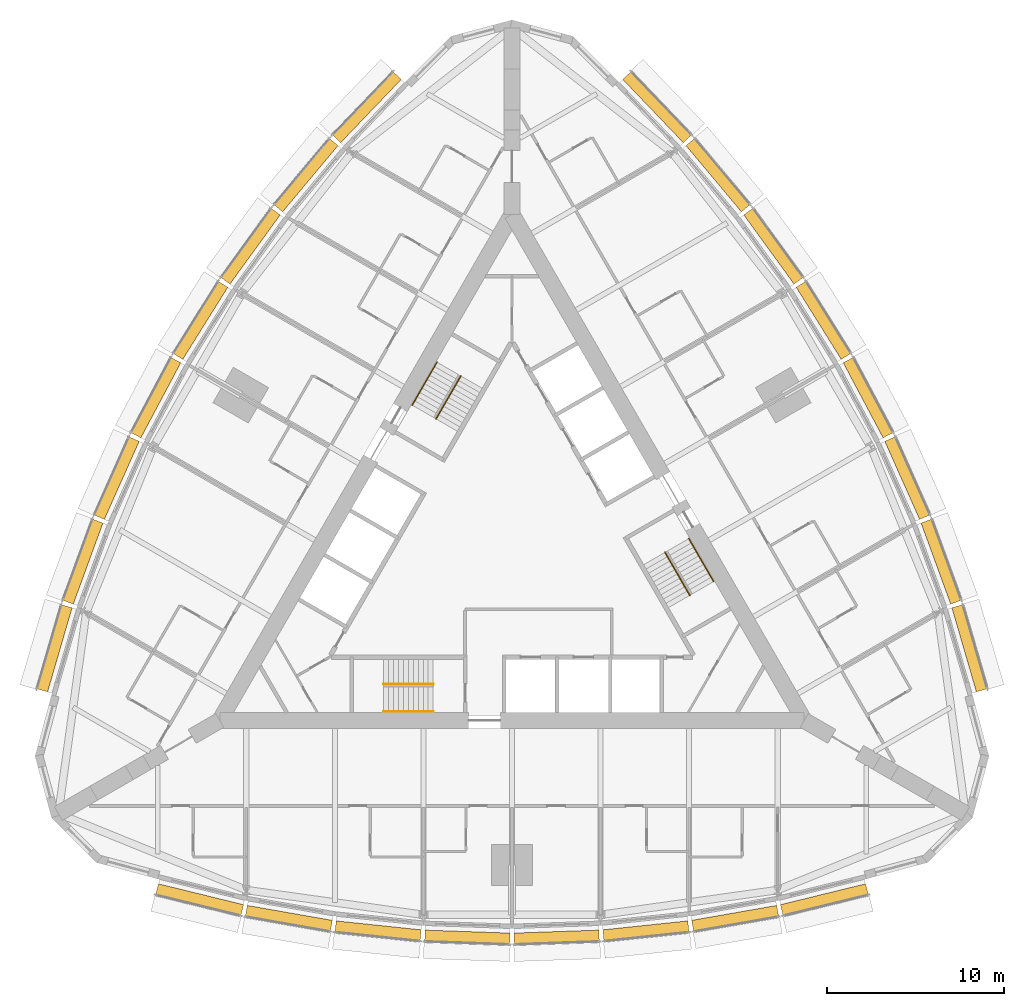
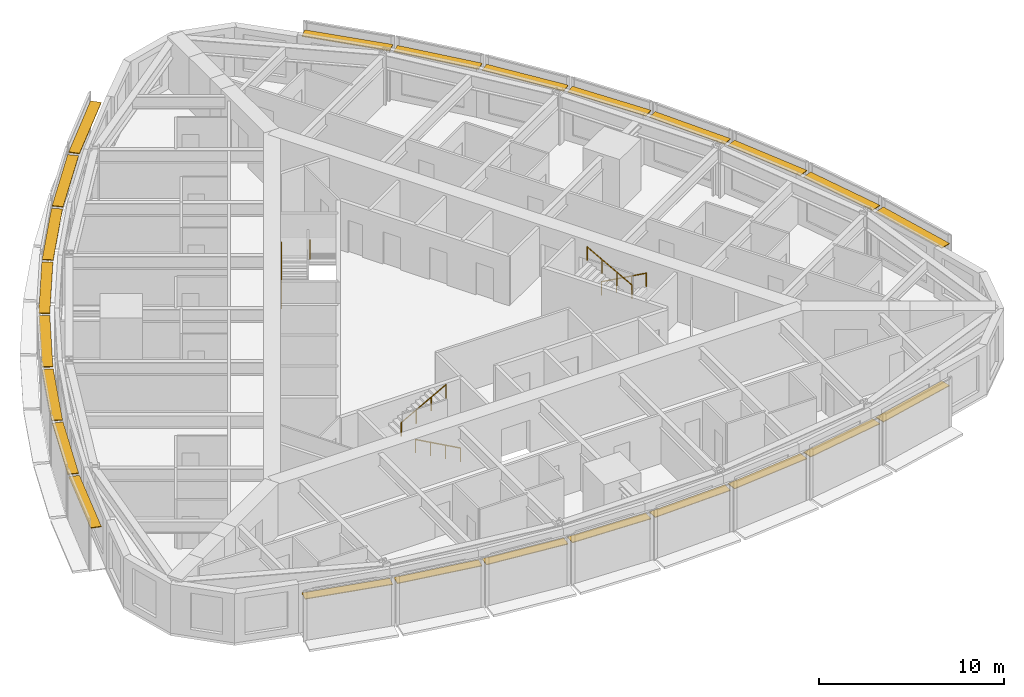
# One storey, part 14 of 14: 24 shading devices, 6 railings.
"""IFC4 building model written with IfcOpenShell, lengths in metres."""

from ifc_helpers import new_model, si_unit, direction, frame, origin, origin_2d, place, context, subcontext, project, spatial, rectangle, circle, extrude, material, type_object, element, save


model = new_model("IFC4")

# Units and contexts
model_context = context("Model", 3, precision=1e-05, world=origin(), true_north=direction((0.0, 1.0)))
body_context = subcontext(model_context, "Body", "Model", "MODEL_VIEW")
ifc_project = project(units=[si_unit("LENGTHUNIT", "METRE"), si_unit("AREAUNIT", "SQUARE_METRE"), si_unit("VOLUMEUNIT", "CUBIC_METRE"), si_unit("PLANEANGLEUNIT", "RADIAN"), si_unit("MASSUNIT", "GRAM", prefix="KILO")], contexts=[model_context])

# Site, building, storey
site_placement = place(None, origin())
site = spatial("IfcSite", under=ifc_project, at=site_placement, CompositionType="ELEMENT")
building_placement = place(site_placement, origin())
building = spatial("IfcBuilding", under=site, at=building_placement, Name="Trikona Tower", CompositionType="ELEMENT")
storey_placement = place(building_placement, frame((0.0, 0.0, 124.89990234375)))
storey = spatial("IfcBuildingStorey", under=building, at=storey_placement, Name="L32", CompositionType="ELEMENT", Elevation=124.89990234375)

# Shading devices
ifc_material_1 = material(Name="Aluminium louvre blade, pale anodised", Category="aluminium")
shading_device_type = type_object("IfcShadingDeviceType", Name="Cavity louvre 600", PredefinedType="USERDEFINED", material=ifc_material_1)
shading_device_1_placement = place(storey_placement, frame((-17.63330078125, -19.631591796875, 2.77490234375), z_axis=(0.0, 0.0, 1.0), x_axis=(0.971274411564, -0.237962218516, 0.0)))
element("IfcShadingDevice", 1, at=shading_device_1_placement, inside=storey, type_object=shading_device_type, Name="Cavity louvre L32-00", ObjectType="LOUVRE", PredefinedType="USERDEFINED", context=body_context, shape_type="SweptSolid", body=[
    extrude(rectangle(XDim=4.947998046875, YDim=0.60009765625, at=origin_2d()), origin(), (0.0, 0.0, 1.0), 0.050048828125),
])
shading_device_2_placement = place(storey_placement, frame((-12.596435546875, -20.689208984375, 2.77490234375), z_axis=(0.0, 0.0, 1.0), x_axis=(0.985030604067, -0.172379549401, 0.0)))
element("IfcShadingDevice", 2, at=shading_device_2_placement, inside=storey, type_object=shading_device_type, Name="Cavity louvre L32-01", ObjectType="LOUVRE", PredefinedType="USERDEFINED", context=body_context, shape_type="SweptSolid", body=[
    extrude(rectangle(XDim=4.8759765625, YDim=0.60009765625, at=origin_2d()), origin(), (0.0, 0.0, 1.0), 0.050048828125),
])
shading_device_3_placement = place(storey_placement, frame((-7.55859375, -21.39453125, 2.77490234375), z_axis=(0.0, 0.0, 1.0), x_axis=(0.994532653854, -0.104426052392, 0.0)))
element("IfcShadingDevice", 3, at=shading_device_3_placement, inside=storey, type_object=shading_device_type, Name="Cavity louvre L32-02", ObjectType="LOUVRE", PredefinedType="USERDEFINED", context=body_context, shape_type="SweptSolid", body=[
    extrude(rectangle(XDim=4.827392578125, YDim=0.60009765625, at=origin_2d()), origin(), (0.0, 0.0, 1.0), 0.050048828125),
])
for number, where, z_axis, x_axis, name in (
    (4, (-2.51953125, -21.747314453125, 2.77490234375), (0.0, 0.0, 1.0), (0.999388082937, -0.034977988567, 0.0), "Cavity louvre L32-03"),
    (5, (2.51953125, -21.747314453125, 2.77490234375), (0.0, 0.0, 1.0), (0.999388082937, 0.034977988567, 0.0), "Cavity louvre L32-04"),
):
    element("IfcShadingDevice", number, at=place(storey_placement, frame(where, z_axis=z_axis, x_axis=x_axis)), inside=storey, type_object=shading_device_type, Name=name, ObjectType="LOUVRE", PredefinedType="USERDEFINED", context=body_context, shape_type="SweptSolid", body=[
        extrude(rectangle(XDim=4.802978515625, YDim=0.60009765625, at=origin_2d()), origin(), (0.0, 0.0, 1.0), 0.050048828125),
    ])
shading_device_4_placement = place(storey_placement, frame((7.55859375, -21.39453125, 2.77490234375), z_axis=(0.0, 0.0, 1.0), x_axis=(0.994532653854, 0.104426052392, 0.0)))
element("IfcShadingDevice", 6, at=shading_device_4_placement, inside=storey, type_object=shading_device_type, Name="Cavity louvre L32-05", ObjectType="LOUVRE", PredefinedType="USERDEFINED", context=body_context, shape_type="SweptSolid", body=[
    extrude(rectangle(XDim=4.827392578125, YDim=0.60009765625, at=origin_2d()), origin(), (0.0, 0.0, 1.0), 0.050048828125),
])
shading_device_5_placement = place(storey_placement, frame((12.596435546875, -20.689208984375, 2.77490234375), z_axis=(0.0, 0.0, 1.0), x_axis=(0.985030604067, 0.172379549401, 0.0)))
element("IfcShadingDevice", 7, at=shading_device_5_placement, inside=storey, type_object=shading_device_type, Name="Cavity louvre L32-06", ObjectType="LOUVRE", PredefinedType="USERDEFINED", context=body_context, shape_type="SweptSolid", body=[
    extrude(rectangle(XDim=4.8759765625, YDim=0.60009765625, at=origin_2d()), origin(), (0.0, 0.0, 1.0), 0.050048828125),
])
shading_device_6_placement = place(storey_placement, frame((17.63330078125, -19.631591796875, 2.77490234375), z_axis=(0.0, 0.0, 1.0), x_axis=(0.971274411564, 0.237962218516, 0.0)))
element("IfcShadingDevice", 8, at=shading_device_6_placement, inside=storey, type_object=shading_device_type, Name="Cavity louvre L32-07", ObjectType="LOUVRE", PredefinedType="USERDEFINED", context=body_context, shape_type="SweptSolid", body=[
    extrude(rectangle(XDim=4.947998046875, YDim=0.60009765625, at=origin_2d()), origin(), (0.0, 0.0, 1.0), 0.050048828125),
])
shading_device_7_placement = place(storey_placement, frame((25.818115234375, -5.455078125, 2.77490234375), z_axis=(0.0, 0.0, 1.0), x_axis=(-0.279554203664, 0.960129911634, 0.0)))
element("IfcShadingDevice", 9, at=shading_device_7_placement, inside=storey, type_object=shading_device_type, Name="Cavity louvre L32-12", ObjectType="LOUVRE", PredefinedType="USERDEFINED", context=body_context, shape_type="SweptSolid", body=[
    extrude(rectangle(XDim=4.94775390625, YDim=0.60009765625, at=origin_2d()), origin(), (0.0, 0.0, 1.0), 0.050048828125),
])
shading_device_8_placement = place(storey_placement, frame((24.2158203125, -0.564208984375, 2.77490234375), z_axis=(0.0, 0.0, 1.0), x_axis=(-0.343220397324, 0.939254895575, 0.0)))
element("IfcShadingDevice", 10, at=shading_device_8_placement, inside=storey, type_object=shading_device_type, Name="Cavity louvre L32-13", ObjectType="LOUVRE", PredefinedType="USERDEFINED", context=body_context, shape_type="SweptSolid", body=[
    extrude(rectangle(XDim=4.8759765625, YDim=0.60009765625, at=origin_2d()), origin(), (0.0, 0.0, 1.0), 0.050048828125),
])
shading_device_9_placement = place(storey_placement, frame((22.3076171875, 4.151611328125, 2.77490234375), z_axis=(0.0, 0.0, 1.0), x_axis=(-0.406843467615, 0.913497888809, 0.0)))
element("IfcShadingDevice", 11, at=shading_device_9_placement, inside=storey, type_object=shading_device_type, Name="Cavity louvre L32-14", ObjectType="LOUVRE", PredefinedType="USERDEFINED", context=body_context, shape_type="SweptSolid", body=[
    extrude(rectangle(XDim=4.827392578125, YDim=0.60009765625, at=origin_2d()), origin(), (0.0, 0.0, 1.0), 0.050048828125),
])
for number, where, z_axis, x_axis, name in (
    (12, (20.093505859375, 8.691650390625, 2.77490234375), (0.0, 0.0, 1.0), (-0.469397591494, 0.882986920118, 0.0), "Cavity louvre L32-15"),
    (13, (17.573974609375, 13.0556640625, 2.77490234375), (0.0, 0.0, 1.0), (-0.529994748414, 0.848000923734, 0.0), "Cavity louvre L32-16"),
):
    element("IfcShadingDevice", number, at=place(storey_placement, frame(where, z_axis=z_axis, x_axis=x_axis)), inside=storey, type_object=shading_device_type, Name=name, ObjectType="LOUVRE", PredefinedType="USERDEFINED", context=body_context, shape_type="SweptSolid", body=[
        extrude(rectangle(XDim=4.802978515625, YDim=0.60009765625, at=origin_2d()), origin(), (0.0, 0.0, 1.0), 0.050048828125),
    ])
shading_device_10_placement = place(storey_placement, frame((14.7490234375, 17.2431640625, 2.77490234375), z_axis=(0.0, 0.0, 1.0), x_axis=(-0.587686407834, 0.809088799853, 0.0)))
element("IfcShadingDevice", 14, at=shading_device_10_placement, inside=storey, type_object=shading_device_type, Name="Cavity louvre L32-17", ObjectType="LOUVRE", PredefinedType="USERDEFINED", context=body_context, shape_type="SweptSolid", body=[
    extrude(rectangle(XDim=4.827392578125, YDim=0.60009765625, at=origin_2d()), origin(), (0.0, 0.0, 1.0), 0.050048828125),
])
shading_device_11_placement = place(storey_placement, frame((11.619140625, 21.253662109375, 2.77490234375), z_axis=(0.0, 0.0, 1.0), x_axis=(-0.641807063101, 0.766866151133, 0.0)))
element("IfcShadingDevice", 15, at=shading_device_11_placement, inside=storey, type_object=shading_device_type, Name="Cavity louvre L32-18", ObjectType="LOUVRE", PredefinedType="USERDEFINED", context=body_context, shape_type="SweptSolid", body=[
    extrude(rectangle(XDim=4.8759765625, YDim=0.60009765625, at=origin_2d()), origin(), (0.0, 0.0, 1.0), 0.050048828125),
])
for number, where, z_axis, x_axis, name in (
    (16, (8.184814453125, 25.086669921875, 2.77490234375), (0.0, 0.0, 1.0), (-0.691723573819, 0.722162376078, 0.0), "Cavity louvre L32-19"),
    (17, (-8.184814453125, 25.086669921875, 2.77490234375), (0.0, 0.0, 1.0), (-0.691723573819, -0.722162376078, 0.0), "Cavity louvre L32-24"),
):
    element("IfcShadingDevice", number, at=place(storey_placement, frame(where, z_axis=z_axis, x_axis=x_axis)), inside=storey, type_object=shading_device_type, Name=name, ObjectType="LOUVRE", PredefinedType="USERDEFINED", context=body_context, shape_type="SweptSolid", body=[
        extrude(rectangle(XDim=4.947998046875, YDim=0.60009765625, at=origin_2d()), origin(), (0.0, 0.0, 1.0), 0.050048828125),
    ])
shading_device_12_placement = place(storey_placement, frame((-11.619140625, 21.253662109375, 2.77490234375), z_axis=(0.0, 0.0, 1.0), x_axis=(-0.641807063101, -0.766866151133, 0.0)))
element("IfcShadingDevice", 18, at=shading_device_12_placement, inside=storey, type_object=shading_device_type, Name="Cavity louvre L32-25", ObjectType="LOUVRE", PredefinedType="USERDEFINED", context=body_context, shape_type="SweptSolid", body=[
    extrude(rectangle(XDim=4.8759765625, YDim=0.60009765625, at=origin_2d()), origin(), (0.0, 0.0, 1.0), 0.050048828125),
])
shading_device_13_placement = place(storey_placement, frame((-14.7490234375, 17.2431640625, 2.77490234375), z_axis=(0.0, 0.0, 1.0), x_axis=(-0.587686407834, -0.809088799853, 0.0)))
element("IfcShadingDevice", 19, at=shading_device_13_placement, inside=storey, type_object=shading_device_type, Name="Cavity louvre L32-26", ObjectType="LOUVRE", PredefinedType="USERDEFINED", context=body_context, shape_type="SweptSolid", body=[
    extrude(rectangle(XDim=4.827392578125, YDim=0.60009765625, at=origin_2d()), origin(), (0.0, 0.0, 1.0), 0.050048828125),
])
for number, where, z_axis, x_axis, name in (
    (20, (-17.573974609375, 13.0556640625, 2.77490234375), (0.0, 0.0, 1.0), (-0.529994748414, -0.848000923734, 0.0), "Cavity louvre L32-27"),
    (21, (-20.093505859375, 8.691650390625, 2.77490234375), (0.0, 0.0, 1.0), (-0.469397591494, -0.882986920118, 0.0), "Cavity louvre L32-28"),
):
    element("IfcShadingDevice", number, at=place(storey_placement, frame(where, z_axis=z_axis, x_axis=x_axis)), inside=storey, type_object=shading_device_type, Name=name, ObjectType="LOUVRE", PredefinedType="USERDEFINED", context=body_context, shape_type="SweptSolid", body=[
        extrude(rectangle(XDim=4.802978515625, YDim=0.60009765625, at=origin_2d()), origin(), (0.0, 0.0, 1.0), 0.050048828125),
    ])
shading_device_14_placement = place(storey_placement, frame((-22.3076171875, 4.151611328125, 2.77490234375), z_axis=(0.0, 0.0, 1.0), x_axis=(-0.406843467615, -0.913497888809, 0.0)))
element("IfcShadingDevice", 22, at=shading_device_14_placement, inside=storey, type_object=shading_device_type, Name="Cavity louvre L32-29", ObjectType="LOUVRE", PredefinedType="USERDEFINED", context=body_context, shape_type="SweptSolid", body=[
    extrude(rectangle(XDim=4.827392578125, YDim=0.60009765625, at=origin_2d()), origin(), (0.0, 0.0, 1.0), 0.050048828125),
])
shading_device_15_placement = place(storey_placement, frame((-24.2158203125, -0.564208984375, 2.77490234375), z_axis=(0.0, 0.0, 1.0), x_axis=(-0.343220397324, -0.939254895575, 0.0)))
element("IfcShadingDevice", 23, at=shading_device_15_placement, inside=storey, type_object=shading_device_type, Name="Cavity louvre L32-30", ObjectType="LOUVRE", PredefinedType="USERDEFINED", context=body_context, shape_type="SweptSolid", body=[
    extrude(rectangle(XDim=4.8759765625, YDim=0.60009765625, at=origin_2d()), origin(), (0.0, 0.0, 1.0), 0.050048828125),
])
shading_device_16_placement = place(storey_placement, frame((-25.818115234375, -5.455078125, 2.77490234375), z_axis=(0.0, 0.0, 1.0), x_axis=(-0.279554203664, -0.960129911634, 0.0)))
element("IfcShadingDevice", 24, at=shading_device_16_placement, inside=storey, type_object=shading_device_type, Name="Cavity louvre L32-31", ObjectType="LOUVRE", PredefinedType="USERDEFINED", context=body_context, shape_type="SweptSolid", body=[
    extrude(rectangle(XDim=4.94775390625, YDim=0.60009765625, at=origin_2d()), origin(), (0.0, 0.0, 1.0), 0.050048828125),
])

# Railings
ifc_material_2 = material(Name="Stainless steel handrail", Category="steel")
railing_type = type_object("IfcRailingType", Name="Stair handrail", PredefinedType="HANDRAIL", material=ifc_material_2)
railing_1_placement = place(storey_placement, frame((-4.449951171875, -9.016357421875, 0.154541015625)))
element("IfcRailing", 25, at=railing_1_placement, inside=storey, type_object=railing_type, Name="Stair handrail A L32 1", PredefinedType="HANDRAIL", context=body_context, shape_type="SweptSolid", body=[
    extrude(circle(Radius=0.02392578125, at=origin_2d()), frame((0.0, 0.0, 0.8759765625), z_axis=(-0.875471895205, 0.0, 0.483269035534), x_axis=(0.0, -1.0, 0.0)), (0.0, 0.0, 1.0), 3.1982421875),
    extrude(circle(Radius=0.02099609375, at=origin_2d()), origin(), (0.0, 0.0, 1.0), 0.851806640625),
    extrude(circle(Radius=0.02099609375, at=origin_2d()), frame((-0.933349609375, 0.0, 0.51513671875)), (0.0, 0.0, 1.0), 0.851806640625),
    extrude(circle(Radius=0.02099609375, at=origin_2d()), frame((-1.86669921875, 0.0, 1.030517578125)), (0.0, 0.0, 1.0), 0.851806640625),
    extrude(circle(Radius=0.02099609375, at=origin_2d()), frame((-2.800048828125, 0.0, 1.545654296875)), (0.0, 0.0, 1.0), 0.851806640625),
])
railing_2_placement = place(storey_placement, frame((-7.25, -7.46630859375, 1.8544921875)))
element("IfcRailing", 26, at=railing_2_placement, inside=storey, type_object=railing_type, Name="Stair handrail A L32 2", PredefinedType="HANDRAIL", context=body_context, shape_type="SweptSolid", body=[
    extrude(circle(Radius=0.02392578125, at=origin_2d()), frame((0.0, 0.0, 0.8759765625), z_axis=(0.875471895205, 0.0, 0.483269035534), x_axis=(0.0, 1.0, 0.0)), (0.0, 0.0, 1.0), 3.1982421875),
    extrude(circle(Radius=0.02099609375, at=origin_2d()), origin(), (0.0, 0.0, 1.0), 0.851806640625),
    extrude(circle(Radius=0.02099609375, at=origin_2d()), frame((0.933349609375, 0.0, 0.51513671875)), (0.0, 0.0, 1.0), 0.851806640625),
    extrude(circle(Radius=0.02099609375, at=origin_2d()), frame((1.86669921875, 0.0, 1.030517578125)), (0.0, 0.0, 1.0), 0.851806640625),
    extrude(circle(Radius=0.02099609375, at=origin_2d()), frame((2.800048828125, 0.0, 1.545654296875)), (0.0, 0.0, 1.0), 0.851806640625),
])
railing_3_placement = place(storey_placement, frame((9.9833984375, 0.740966796875, 0.154541015625)))
element("IfcRailing", 27, at=railing_3_placement, inside=storey, type_object=railing_type, Name="Stair handrail B L32 1", PredefinedType="HANDRAIL", context=body_context, shape_type="SweptSolid", body=[
    extrude(circle(Radius=0.02392578125, at=origin_2d()), frame((0.0, 0.0, 0.8759765625), z_axis=(0.437691042731, -0.758211567396, 0.483261596012), x_axis=(0.866056369097, 0.49994636267, 0.0)), (0.0, 0.0, 1.0), 3.198486328125),
    extrude(circle(Radius=0.02099609375, at=origin_2d()), origin(), (0.0, 0.0, 1.0), 0.851806640625),
    extrude(circle(Radius=0.02099609375, at=origin_2d()), frame((0.466552734375, -0.808349609375, 0.51513671875)), (0.0, 0.0, 1.0), 0.851806640625),
    extrude(circle(Radius=0.02099609375, at=origin_2d()), frame((0.933349609375, -1.61669921875, 1.030517578125)), (0.0, 0.0, 1.0), 0.851806640625),
    extrude(circle(Radius=0.02099609375, at=origin_2d()), frame((1.39990234375, -2.425048828125, 1.545654296875)), (0.0, 0.0, 1.0), 0.851806640625),
])
railing_4_placement = place(storey_placement, frame((10.041015625, -2.458984375, 1.8544921875)))
element("IfcRailing", 28, at=railing_4_placement, inside=storey, type_object=railing_type, Name="Stair handrail B L32 2", PredefinedType="HANDRAIL", context=body_context, shape_type="SweptSolid", body=[
    extrude(circle(Radius=0.02392578125, at=origin_2d()), frame((0.0, 0.0, 0.8759765625), z_axis=(-0.437691042731, 0.758211567396, 0.483261596012), x_axis=(-0.866056369097, -0.49994636267, 0.0)), (0.0, 0.0, 1.0), 3.198486328125),
    extrude(circle(Radius=0.02099609375, at=origin_2d()), origin(), (0.0, 0.0, 1.0), 0.851806640625),
    extrude(circle(Radius=0.02099609375, at=origin_2d()), frame((-0.466552734375, 0.808349609375, 0.51513671875)), (0.0, 0.0, 1.0), 0.851806640625),
    extrude(circle(Radius=0.02099609375, at=origin_2d()), frame((-0.933349609375, 1.61669921875, 1.030517578125)), (0.0, 0.0, 1.0), 0.851806640625),
    extrude(circle(Radius=0.02099609375, at=origin_2d()), frame((-1.39990234375, 2.425048828125, 1.545654296875)), (0.0, 0.0, 1.0), 0.851806640625),
])
railing_5_placement = place(storey_placement, frame((-5.63330078125, 8.275390625, 0.154541015625)))
element("IfcRailing", 29, at=railing_5_placement, inside=storey, type_object=railing_type, Name="Stair handrail C L32 1", PredefinedType="HANDRAIL", context=body_context, shape_type="SweptSolid", body=[
    extrude(circle(Radius=0.02392578125, at=origin_2d()), frame((0.0, 0.0, 0.8759765625), z_axis=(0.437716375571, 0.758179114435, 0.4832895664), x_axis=(-0.866034573852, 0.49998411664, 0.0)), (0.0, 0.0, 1.0), 3.1982421875),
    extrude(circle(Radius=0.02099609375, at=origin_2d()), origin(), (0.0, 0.0, 1.0), 0.851806640625),
    extrude(circle(Radius=0.02099609375, at=origin_2d()), frame((0.466552734375, 0.808349609375, 0.51513671875)), (0.0, 0.0, 1.0), 0.851806640625),
    extrude(circle(Radius=0.02099609375, at=origin_2d()), frame((0.933349609375, 1.616455078125, 1.030517578125)), (0.0, 0.0, 1.0), 0.851806640625),
    extrude(circle(Radius=0.02099609375, at=origin_2d()), frame((1.39990234375, 2.4248046875, 1.545654296875)), (0.0, 0.0, 1.0), 0.851806640625),
])
railing_6_placement = place(storey_placement, frame((-2.89111328125, 9.92529296875, 1.8544921875)))
element("IfcRailing", 30, at=railing_6_placement, inside=storey, type_object=railing_type, Name="Stair handrail C L32 2", PredefinedType="HANDRAIL", context=body_context, shape_type="SweptSolid", body=[
    extrude(circle(Radius=0.02392578125, at=origin_2d()), frame((0.0, 0.0, 0.8759765625), z_axis=(-0.437691042731, -0.758211567396, 0.483261596012), x_axis=(0.866056369097, -0.49994636267, 0.0)), (0.0, 0.0, 1.0), 3.198486328125),
    extrude(circle(Radius=0.02099609375, at=origin_2d()), origin(), (0.0, 0.0, 1.0), 0.851806640625),
    extrude(circle(Radius=0.02099609375, at=origin_2d()), frame((-0.466552734375, -0.808349609375, 0.51513671875)), (0.0, 0.0, 1.0), 0.851806640625),
    extrude(circle(Radius=0.02099609375, at=origin_2d()), frame((-0.933349609375, -1.61669921875, 1.030517578125)), (0.0, 0.0, 1.0), 0.851806640625),
    extrude(circle(Radius=0.02099609375, at=origin_2d()), frame((-1.39990234375, -2.425048828125, 1.545654296875)), (0.0, 0.0, 1.0), 0.851806640625),
])

save(model, "model.ifc")
